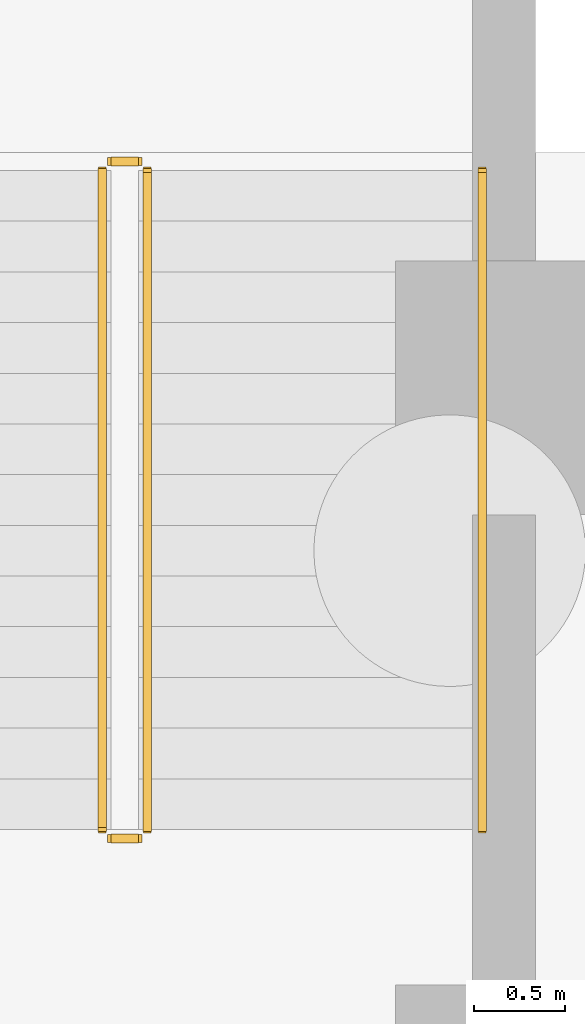
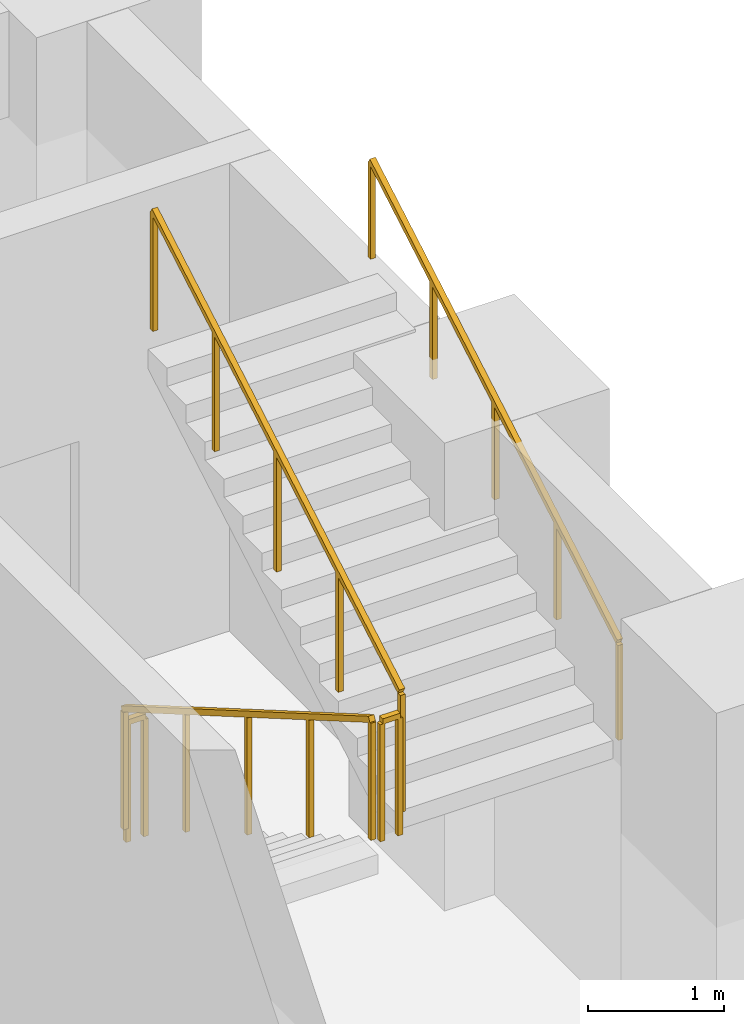
# One storey, part 14 of 16: 5 railings.
"""IFC4 building model written with IfcOpenShell, lengths in metres."""

from ifc_helpers import new_model, si_unit, direction, frame, origin, origin_2d, place, context, subcontext, project, spatial, rectangle, extrude, material, type_object, element, save


model = new_model("IFC4")

# Units and contexts
model_context = context("Model", 3, precision=1e-05, world=origin(), true_north=direction((0.0, 1.0)))
body_context = subcontext(model_context, "Body", "Model", "MODEL_VIEW")
ifc_project = project(units=[si_unit("LENGTHUNIT", "METRE"), si_unit("AREAUNIT", "SQUARE_METRE"), si_unit("VOLUMEUNIT", "CUBIC_METRE"), si_unit("PLANEANGLEUNIT", "RADIAN"), si_unit("MASSUNIT", "GRAM", prefix="KILO")], contexts=[model_context])

# Site, building, storey
site_placement = place(None, origin())
site = spatial("IfcSite", under=ifc_project, at=site_placement, CompositionType="ELEMENT")
building_placement = place(site_placement, origin())
building = spatial("IfcBuilding", under=site, at=building_placement, Name="Zulmaris Gate Convention Tower", CompositionType="ELEMENT")
storey_placement = place(building_placement, frame((0.0, 0.0, -9.10009765625)))
storey = spatial("IfcBuildingStorey", under=building, at=storey_placement, Name="B2", CompositionType="ELEMENT", Elevation=-9.10009765625)

# Railings
ifc_material_1 = material(Name="Painted Galvanised Steel", Category="steel")
railing_type_1 = type_object("IfcRailingType", Name="RL-STG-1150", PredefinedType="GUARDRAIL", material=ifc_material_1)
railing_1_placement = place(storey_placement, frame((31.679931640625, -20.800048828125, 0.16259765625)))
element("IfcRailing", 1, at=railing_1_placement, inside=storey, type_object=railing_type_1, Name="B2 ST-6 stair guard 1", PredefinedType="GUARDRAIL", context=body_context, shape_type="SweptSolid", body=[
    extrude(rectangle(XDim=0.048095703125, YDim=0.048095703125, at=origin_2d()), frame((0.0, 0.0, 1.076171875), z_axis=(0.0, -0.864885630581, 0.501968969174), x_axis=(1.0, 0.0, 0.0)), (0.0, 0.0, 1.0), 4.20849609375),
    extrude(rectangle(XDim=0.0419921875, YDim=0.0419921875, at=origin_2d()), origin(), (0.0, 0.0, 1.0), 1.052001953125),
    extrude(rectangle(XDim=0.0419921875, YDim=0.0419921875, at=origin_2d()), frame((0.0, -0.909912109375, 0.528076171875)), (0.0, 0.0, 1.0), 1.052001953125),
    extrude(rectangle(XDim=0.0419921875, YDim=0.0419921875, at=origin_2d()), frame((0.0, -1.81982421875, 1.05615234375)), (0.0, 0.0, 1.0), 1.052001953125),
    extrude(rectangle(XDim=0.0419921875, YDim=0.0419921875, at=origin_2d()), frame((0.0, -2.72998046875, 1.58447265625)), (0.0, 0.0, 1.0), 1.052001953125),
    extrude(rectangle(XDim=0.0419921875, YDim=0.0419921875, at=origin_2d()), frame((0.0, -3.639892578125, 2.112548828125)), (0.0, 0.0, 1.0), 1.052001953125),
])
railing_2_placement = place(storey_placement, frame((31.72998046875, -24.489990234375, 2.275146484375)))
element("IfcRailing", 2, at=railing_2_placement, inside=storey, type_object=railing_type_1, Name="B2 ST-6 stair guard 2", PredefinedType="GUARDRAIL", context=body_context, shape_type="SweptSolid", body=[
    extrude(rectangle(XDim=0.048095703125, YDim=0.048095703125, at=origin_2d()), frame((0.0, 0.0, 1.076171875), z_axis=(1.0, 0.0, 0.0), x_axis=(0.0, 1.0, 0.0)), (0.0, 0.0, 1.0), 0.14990234375),
    extrude(rectangle(XDim=0.0419921875, YDim=0.0419921875, at=origin_2d()), origin(), (0.0, 0.0, 1.0), 1.052001953125),
    extrude(rectangle(XDim=0.0419921875, YDim=0.0419921875, at=origin_2d()), frame((0.14990234375, 0.0, 0.0)), (0.0, 0.0, 1.0), 1.052001953125),
])
railing_3_placement = place(storey_placement, frame((31.929931640625, -24.43994140625, 2.4375)))
element("IfcRailing", 3, at=railing_3_placement, inside=storey, type_object=railing_type_1, Name="B2 ST-6 stair guard 3", PredefinedType="GUARDRAIL", context=body_context, shape_type="SweptSolid", body=[
    extrude(rectangle(XDim=0.048095703125, YDim=0.048095703125, at=origin_2d()), frame((0.0, 0.0, 1.076171875), z_axis=(0.0, 0.864885630581, 0.501968969174), x_axis=(-1.0, 0.0, 0.0)), (0.0, 0.0, 1.0), 4.20849609375),
    extrude(rectangle(XDim=0.0419921875, YDim=0.0419921875, at=origin_2d()), origin(), (0.0, 0.0, 1.0), 1.052001953125),
    extrude(rectangle(XDim=0.0419921875, YDim=0.0419921875, at=origin_2d()), frame((0.0, 0.909912109375, 0.528076171875)), (0.0, 0.0, 1.0), 1.052001953125),
    extrude(rectangle(XDim=0.0419921875, YDim=0.0419921875, at=origin_2d()), frame((0.0, 1.81982421875, 1.05615234375)), (0.0, 0.0, 1.0), 1.052001953125),
    extrude(rectangle(XDim=0.0419921875, YDim=0.0419921875, at=origin_2d()), frame((0.0, 2.72998046875, 1.58447265625)), (0.0, 0.0, 1.0), 1.052001953125),
    extrude(rectangle(XDim=0.0419921875, YDim=0.0419921875, at=origin_2d()), frame((0.0, 3.639892578125, 2.112548828125)), (0.0, 0.0, 1.0), 1.052001953125),
])
railing_4_placement = place(storey_placement, frame((31.72998046875, -20.75, 0.0)))
element("IfcRailing", 4, at=railing_4_placement, inside=storey, type_object=railing_type_1, Name="B2 ST-6 stair guard 4", PredefinedType="GUARDRAIL", context=body_context, shape_type="SweptSolid", body=[
    extrude(rectangle(XDim=0.048095703125, YDim=0.048095703125, at=origin_2d()), frame((0.0, 0.0, 1.076171875), z_axis=(1.0, 0.0, 0.0), x_axis=(0.0, 1.0, 0.0)), (0.0, 0.0, 1.0), 0.14990234375),
    extrude(rectangle(XDim=0.0419921875, YDim=0.0419921875, at=origin_2d()), origin(), (0.0, 0.0, 1.0), 1.052001953125),
    extrude(rectangle(XDim=0.0419921875, YDim=0.0419921875, at=origin_2d()), frame((0.14990234375, 0.0, 0.0)), (0.0, 0.0, 1.0), 1.052001953125),
])
ifc_material_2 = material(Name="Brushed Stainless Steel", Category="steel")
railing_type_2 = type_object("IfcRailingType", Name="RL-STH-900", PredefinedType="HANDRAIL", material=ifc_material_2)
railing_5_placement = place(storey_placement, frame((33.780029296875, -24.43994140625, 2.4375)))
element("IfcRailing", 5, at=railing_5_placement, inside=storey, type_object=railing_type_2, Name="B2 ST-6 stair handrail 2", PredefinedType="HANDRAIL", context=body_context, shape_type="SweptSolid", body=[
    extrude(rectangle(XDim=0.048095703125, YDim=0.048095703125, at=origin_2d()), frame((0.0, 0.0, 0.8759765625), z_axis=(0.0, 0.864885630581, 0.501968969174), x_axis=(-1.0, 0.0, 0.0)), (0.0, 0.0, 1.0), 4.20849609375),
    extrude(rectangle(XDim=0.0419921875, YDim=0.0419921875, at=origin_2d()), origin(), (0.0, 0.0, 1.0), 0.851806640625),
    extrude(rectangle(XDim=0.0419921875, YDim=0.0419921875, at=origin_2d()), frame((0.0, 0.909912109375, 0.528076171875)), (0.0, 0.0, 1.0), 0.851806640625),
    extrude(rectangle(XDim=0.0419921875, YDim=0.0419921875, at=origin_2d()), frame((0.0, 1.81982421875, 1.05615234375)), (0.0, 0.0, 1.0), 0.851806640625),
    extrude(rectangle(XDim=0.0419921875, YDim=0.0419921875, at=origin_2d()), frame((0.0, 2.72998046875, 1.58447265625)), (0.0, 0.0, 1.0), 0.851806640625),
    extrude(rectangle(XDim=0.0419921875, YDim=0.0419921875, at=origin_2d()), frame((0.0, 3.639892578125, 2.112548828125)), (0.0, 0.0, 1.0), 0.851806640625),
])

save(model, "model.ifc")
